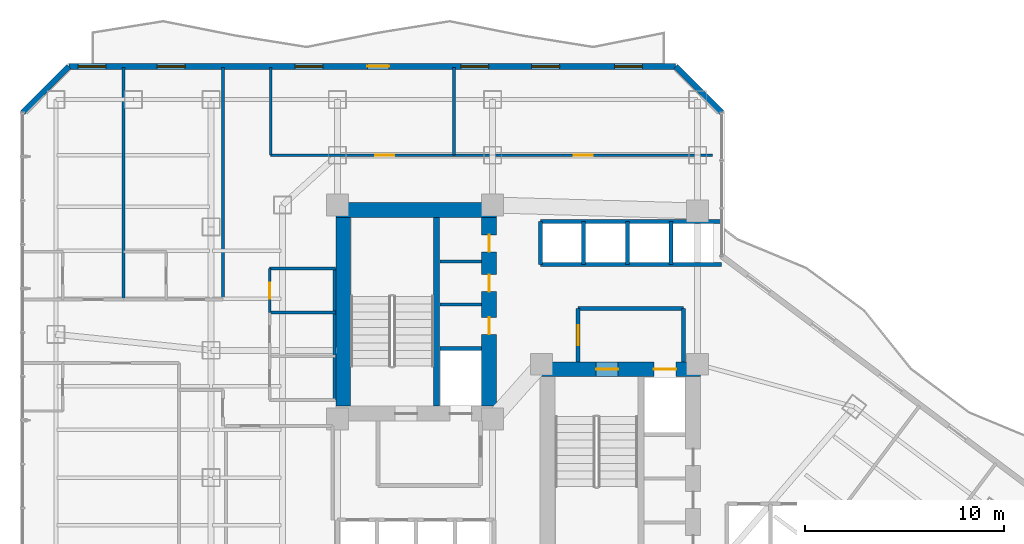
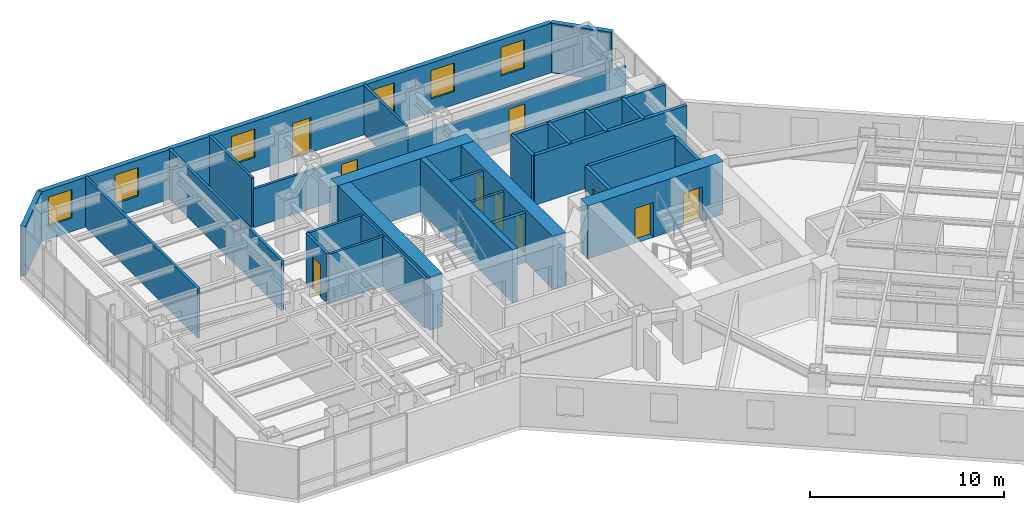
# One storey, part 25 of 31: 30 walls, 10 doors, 6 windows, 16 openings.
"""IFC4 building model written with IfcOpenShell, lengths in metres."""

from ifc_helpers import new_model, si_unit, direction, frame, frame_2d, origin, place, context, subcontext, project, spatial, rectangle, extrude, material, layer, layer_set, type_object, element, fill, save


model = new_model("IFC4")

# Units and contexts
model_context = context("Model", 3, precision=1e-05, world=origin(), true_north=direction((0.0, 1.0)))
body_context = subcontext(model_context, "Body", "Model", "MODEL_VIEW")
ifc_project = project(units=[si_unit("LENGTHUNIT", "METRE"), si_unit("AREAUNIT", "SQUARE_METRE"), si_unit("VOLUMEUNIT", "CUBIC_METRE"), si_unit("PLANEANGLEUNIT", "RADIAN"), si_unit("MASSUNIT", "GRAM", prefix="KILO")], contexts=[model_context])

# Site, building, storey
site_placement = place(None, origin())
site = spatial("IfcSite", under=ifc_project, at=site_placement, CompositionType="ELEMENT")
building_placement = place(site_placement, origin())
building = spatial("IfcBuilding", under=site, at=building_placement, Name="Hatsunagi Terrace Concourse", CompositionType="ELEMENT")
storey_placement = place(building_placement, frame((0.0, 0.0, 81.300048828125)))
storey = spatial("IfcBuildingStorey", under=building, at=storey_placement, Name="L21", CompositionType="ELEMENT", Elevation=81.300048828125)

# Walls
ifc_material_1 = material(Name="Concrete Fc60", Category="concrete")
ifc_layer_1 = layer(ifc_material_1, 0.75)
ifc_layer_set_1 = layer_set([ifc_layer_1], Name="CoreShearWall_Fc60_750")
wall_type_1 = type_object("IfcWallType", Name="CoreShearWall_Fc60_750", PredefinedType="SHEAR", material=ifc_layer_set_1)
wall_1_placement = place(storey_placement, frame((25.469970703125, 43.044921875, 0.0), z_axis=(0.0, 0.0, 1.0), x_axis=(1.0, 0.0, 0.0)))
element("IfcWall", 1, at=wall_1_placement, inside=storey, type_object=wall_type_1, Name="Core A Shear Wall N L21", PredefinedType="SHEAR", context=body_context, shape_type="SweptSolid", body=[
    extrude(rectangle(XDim=8.080078125, YDim=0.75, at=frame_2d((4.0400390625, 0.0))), origin(), (0.0, 0.0, 1.0), 3.349853515625),
])
wall_2_placement = place(storey_placement, frame((25.844970703125, 33.18994140625, 0.0), z_axis=(0.0, 0.0, 1.0), x_axis=(0.0, 1.0, 0.0)))
element("IfcWall", 2, at=wall_2_placement, inside=storey, type_object=wall_type_1, Name="Core A Shear Wall W L21", PredefinedType="SHEAR", context=body_context, shape_type="SweptSolid", body=[
    extrude(rectangle(XDim=9.47998046875, YDim=0.75, at=frame_2d((4.739990234375, 0.0))), origin(), (0.0, 0.0, 1.0), 3.349853515625),
])

# Wall, openings, doors
wall_3_placement = place(storey_placement, frame((33.175048828125, 33.18994140625, 0.0), z_axis=(0.0, 0.0, 1.0), x_axis=(0.0, 1.0, 0.0)))
wall_3 = element("IfcWall", 3, at=wall_3_placement, inside=storey, type_object=wall_type_1, Name="Core A Shear Wall E L21", PredefinedType="SHEAR", context=body_context, shape_type="SweptSolid", body=[
    extrude(rectangle(XDim=9.47998046875, YDim=0.75, at=frame_2d((4.739990234375, 0.0))), origin(), (0.0, 0.0, 1.0), 3.349853515625),
])
opening_1_placement = place(wall_3_placement, frame((3.610107421875, 0.0, 0.0)))
opening_1 = element("IfcOpeningElement", 4, at=opening_1_placement, cuts=wall_3, Name="Opening DR-085", PredefinedType="OPENING", context=body_context, shape_type="SweptSolid", body=[
    extrude(rectangle(XDim=0.85009765625, YDim=2.080078125, at=frame_2d((0.425048828125, 1.0400390625))), frame((0.0, 0.385009765625, 0.0), z_axis=(0.0, -1.0, 0.0), x_axis=(1.0, 0.0, 0.0)), (0.0, 0.0, 1.0), 0.77001953125),
])
opening_2_placement = place(wall_3_placement, frame((5.760009765625, 0.0, 0.0)))
opening_2 = element("IfcOpeningElement", 5, at=opening_2_placement, cuts=wall_3, Name="Opening DR-085", PredefinedType="OPENING", context=body_context, shape_type="SweptSolid", body=[
    extrude(rectangle(XDim=0.85009765625, YDim=2.080078125, at=frame_2d((0.425048828125, 1.0400390625))), frame((0.0, 0.385009765625, 0.0), z_axis=(0.0, -1.0, 0.0), x_axis=(1.0, 0.0, 0.0)), (0.0, 0.0, 1.0), 0.77001953125),
])
opening_3_placement = place(wall_3_placement, frame((7.760009765625, 0.0, 0.0)))
opening_3 = element("IfcOpeningElement", 6, at=opening_3_placement, cuts=wall_3, Name="Opening DR-085", PredefinedType="OPENING", context=body_context, shape_type="SweptSolid", body=[
    extrude(rectangle(XDim=0.85009765625, YDim=2.080078125, at=frame_2d((0.425048828125, 1.0400390625))), frame((0.0, 0.385009765625, 0.0), z_axis=(0.0, -1.0, 0.0), x_axis=(1.0, 0.0, 0.0)), (0.0, 0.0, 1.0), 0.77001953125),
])
ifc_material_2 = material(Name="Painted steel", Category="steel")
door_type_1 = type_object("IfcDoorType", Name="RiserAccessDoor_EI60_850", OperationType="NOTDEFINED", PredefinedType="DOOR", material=ifc_material_2)
door_1_placement = place(opening_1_placement, origin())
door_1 = element("IfcDoor", 7, at=door_1_placement, inside=storey, type_object=door_type_1, Name="Core A Riser Door L21-1", OperationType="SINGLE_SWING_LEFT", OverallHeight=2.080078125, OverallWidth=0.85009765625, PredefinedType="DOOR", context=body_context, shape_type="SweptSolid", body=[
    extrude(rectangle(XDim=0.85009765625, YDim=2.080078125, at=frame_2d((0.425048828125, 1.0400390625))), frame((0.0, 0.02490234375, 0.0), z_axis=(0.0, -1.0, 0.0), x_axis=(1.0, 0.0, 0.0)), (0.0, 0.0, 1.0), 0.050048828125),
])
fill(opening_1, door_1)
door_2_placement = place(opening_2_placement, origin())
door_2 = element("IfcDoor", 8, at=door_2_placement, inside=storey, type_object=door_type_1, Name="Core A Riser Door L21-2", OperationType="SINGLE_SWING_LEFT", OverallHeight=2.080078125, OverallWidth=0.85009765625, PredefinedType="DOOR", context=body_context, shape_type="SweptSolid", body=[
    extrude(rectangle(XDim=0.85009765625, YDim=2.080078125, at=frame_2d((0.425048828125, 1.0400390625))), frame((0.0, 0.02490234375, 0.0), z_axis=(0.0, -1.0, 0.0), x_axis=(1.0, 0.0, 0.0)), (0.0, 0.0, 1.0), 0.050048828125),
])
fill(opening_2, door_2)
door_3_placement = place(opening_3_placement, origin())
door_3 = element("IfcDoor", 9, at=door_3_placement, inside=storey, type_object=door_type_1, Name="Core A Riser Door L21-3", OperationType="SINGLE_SWING_LEFT", OverallHeight=2.080078125, OverallWidth=0.85009765625, PredefinedType="DOOR", context=body_context, shape_type="SweptSolid", body=[
    extrude(rectangle(XDim=0.85009765625, YDim=2.080078125, at=frame_2d((0.425048828125, 1.0400390625))), frame((0.0, 0.02490234375, 0.0), z_axis=(0.0, -1.0, 0.0), x_axis=(1.0, 0.0, 0.0)), (0.0, 0.0, 1.0), 0.050048828125),
])
fill(opening_3, door_3)

wall_4_placement = place(storey_placement, frame((35.739990234375, 35.044921875, 0.0), z_axis=(0.0, 0.0, 1.0), x_axis=(1.0, 0.0, 0.0)))
wall_4 = element("IfcWall", 10, at=wall_4_placement, inside=storey, type_object=wall_type_1, Name="Core B Shear Wall N L21", PredefinedType="SHEAR", context=body_context, shape_type="SweptSolid", body=[
    extrude(rectangle(XDim=8.06005859375, YDim=0.75, at=frame_2d((4.030029296875, 0.0))), origin(), (0.0, 0.0, 1.0), 3.349853515625),
])
opening_4_placement = place(wall_4_placement, frame((2.81005859375, 0.0, 0.0)))
opening_4 = element("IfcOpeningElement", 11, at=opening_4_placement, cuts=wall_4, Name="Opening DR-110S", PredefinedType="OPENING", context=body_context, shape_type="SweptSolid", body=[
    extrude(rectangle(XDim=1.10009765625, YDim=2.199951171875, at=frame_2d((0.550048828125, 1.10009765625))), frame((0.0, 0.385009765625, 0.0), z_axis=(0.0, -1.0, 0.0), x_axis=(1.0, 0.0, 0.0)), (0.0, 0.0, 1.0), 0.77001953125),
])
opening_5_placement = place(wall_4_placement, frame((5.7099609375, 0.0, 0.0)))
opening_5 = element("IfcOpeningElement", 12, at=opening_5_placement, cuts=wall_4, Name="Opening LD-02", PredefinedType="OPENING", context=body_context, shape_type="SweptSolid", body=[
    extrude(rectangle(XDim=1.1201171875, YDim=2.14990234375, at=frame_2d((0.56005859375, 1.074951171875))), frame((0.0, 0.385009765625, 0.0), z_axis=(0.0, -1.0, 0.0), x_axis=(1.0, 0.0, 0.0)), (0.0, 0.0, 1.0), 0.77001953125),
])
ifc_material_3 = material(Name="Stainless steel", Category="steel")
door_type_2 = type_object("IfcDoorType", Name="LiftLandingDoor_LD02", OperationType="SLIDING_TO_RIGHT", PredefinedType="USERDEFINED", material=ifc_material_3)
door_4_placement = place(opening_5_placement, origin())
door_4 = element("IfcDoor", 13, at=door_4_placement, inside=storey, type_object=door_type_2, Name="Lift landing door FF-02 L21", ObjectType="SLIDING_LANDING_DOOR", OperationType="SLIDING_TO_RIGHT", OverallHeight=2.14990234375, OverallWidth=1.1201171875, PredefinedType="USERDEFINED", context=body_context, shape_type="SweptSolid", body=[
    extrude(rectangle(XDim=1.1201171875, YDim=2.14990234375, at=frame_2d((0.56005859375, 1.074951171875))), frame((0.0, 0.02490234375, 0.0), z_axis=(0.0, -1.0, 0.0), x_axis=(1.0, 0.0, 0.0)), (0.0, 0.0, 1.0), 0.050048828125),
])
fill(opening_5, door_4)
ifc_material_4 = material(Name="Painted steel", Category="steel")
door_type_3 = type_object("IfcDoorType", Name="StairFireDoor_EI60_1100", OperationType="NOTDEFINED", PredefinedType="DOOR", material=ifc_material_4)
door_5_placement = place(opening_4_placement, origin())
door_5 = element("IfcDoor", 14, at=door_5_placement, inside=storey, type_object=door_type_3, Name="Stair ST-B Exit Door L21", OperationType="SINGLE_SWING_RIGHT", OverallHeight=2.199951171875, OverallWidth=1.10009765625, PredefinedType="DOOR", context=body_context, shape_type="SweptSolid", body=[
    extrude(rectangle(XDim=1.10009765625, YDim=2.199951171875, at=frame_2d((0.550048828125, 1.10009765625))), frame((0.0, 0.02490234375, 0.0), z_axis=(0.0, -1.0, 0.0), x_axis=(1.0, 0.0, 0.0)), (0.0, 0.0, 1.0), 0.050048828125),
])
fill(opening_4, door_5)

# Walls
ifc_material_5 = material(Name="Concrete Fc48", Category="concrete")
ifc_layer_2 = layer(ifc_material_5, 0.300048828125)
ifc_layer_set_2 = layer_set([ifc_layer_2], Name="CoreStairDivider_Fc48_300")
wall_type_2 = type_object("IfcWallType", Name="CoreStairDivider_Fc48_300", PredefinedType="SHEAR", material=ifc_layer_set_2)
wall_5_placement = place(storey_placement, frame((30.5400390625, 33.18994140625, 0.0), z_axis=(0.0, 0.0, 1.0), x_axis=(0.0, 1.0, 0.0)))
element("IfcWall", 15, at=wall_5_placement, inside=storey, type_object=wall_type_2, Name="Core A Shear Wall D L21", PredefinedType="SHEAR", context=body_context, shape_type="SweptSolid", body=[
    extrude(rectangle(XDim=9.47998046875, YDim=0.300048828125, at=frame_2d((4.739990234375, 0.0))), origin(), (0.0, 0.0, 1.0), 3.349853515625),
])
ifc_material_6 = material(Name="Acoustic mineral board", Category="gypsum")
ifc_layer_3 = layer(ifc_material_6, 0.14990234375)
ifc_layer_set_3 = layer_set([ifc_layer_3], Name="PartitionWall_EI60_150")
wall_type_3 = type_object("IfcWallType", Name="PartitionWall_EI60_150", PredefinedType="PARTITIONING", material=ifc_layer_set_3)
for number, where, z_axis, x_axis, name in (
    (16, (30.699951171875, 38.300048828125, 0.0), (0.0, 0.0, 1.0), (1.0, 0.0, 0.0), "Interior Partition IW-L21-002"),
    (17, (30.699951171875, 40.449951171875, 0.0), (0.0, 0.0, 1.0), (1.0, 0.0, 0.0), "Interior Partition IW-L21-003"),
):
    element("IfcWall", number, at=place(storey_placement, frame(where, z_axis=z_axis, x_axis=x_axis)), inside=storey, type_object=wall_type_3, Name=name, PredefinedType="PARTITIONING", context=body_context, shape_type="SweptSolid", body=[
        extrude(rectangle(XDim=2.10009765625, YDim=0.14990234375, at=frame_2d((1.050048828125, 0.0))), origin(), (0.0, 0.0, 1.0), 3.1298828125),
    ])
wall_6_placement = place(storey_placement, frame((22.14990234375, 40.10009765625, 0.0), z_axis=(0.0, 0.0, 1.0), x_axis=(1.0, 0.0, 0.0)))
element("IfcWall", 18, at=wall_6_placement, inside=storey, type_object=wall_type_3, Name="Interior Partition IW-L21-032", PredefinedType="PARTITIONING", context=body_context, shape_type="SweptSolid", body=[
    extrude(rectangle(XDim=3.300048828125, YDim=0.14990234375, at=frame_2d((1.64990234375, 0.0))), origin(), (0.0, 0.0, 1.0), 3.1298828125),
])
wall_7_placement = place(storey_placement, frame((25.39990234375, 33.5, 0.0), z_axis=(0.0, 0.0, 1.0), x_axis=(0.0, 1.0, 0.0)))
element("IfcWall", 19, at=wall_7_placement, inside=storey, type_object=wall_type_3, Name="Interior Partition IW-L21-033", PredefinedType="PARTITIONING", context=body_context, shape_type="SweptSolid", body=[
    extrude(rectangle(XDim=6.60009765625, YDim=0.14990234375, at=frame_2d((3.300048828125, 0.0))), origin(), (0.0, 0.0, 1.0), 3.1298828125),
])
wall_8_placement = place(storey_placement, frame((22.14990234375, 37.89990234375, 0.0), z_axis=(0.0, 0.0, 1.0), x_axis=(1.0, 0.0, 0.0)))
element("IfcWall", 20, at=wall_8_placement, inside=storey, type_object=wall_type_3, Name="Interior Partition IW-L21-035", PredefinedType="PARTITIONING", context=body_context, shape_type="SweptSolid", body=[
    extrude(rectangle(XDim=3.300048828125, YDim=0.14990234375, at=frame_2d((1.64990234375, 0.0))), origin(), (0.0, 0.0, 1.0), 3.1298828125),
])

# Wall, opening, door
wall_9_placement = place(storey_placement, frame((22.14990234375, 37.89990234375, 0.0), z_axis=(0.0, 0.0, 1.0), x_axis=(0.0, 1.0, 0.0)))
wall_9 = element("IfcWall", 21, at=wall_9_placement, inside=storey, type_object=wall_type_3, Name="Interior Partition IW-L21-038", PredefinedType="PARTITIONING", context=body_context, shape_type="SweptSolid", body=[
    extrude(rectangle(XDim=2.2001953125, YDim=0.14990234375, at=frame_2d((1.10009765625, 0.0))), origin(), (0.0, 0.0, 1.0), 3.1298828125),
])
opening_6_placement = place(wall_9_placement, frame((0.699951171875, 0.0, 0.0)))
opening_6 = element("IfcOpeningElement", 22, at=opening_6_placement, cuts=wall_9, Name="Opening DR-080", PredefinedType="OPENING", context=body_context, shape_type="SweptSolid", body=[
    extrude(rectangle(XDim=0.800048828125, YDim=2.06005859375, at=frame_2d((0.39990234375, 1.030029296875))), frame((0.0, 0.0849609375, 0.0), z_axis=(0.0, -1.0, 0.0), x_axis=(1.0, 0.0, 0.0)), (0.0, 0.0, 1.0), 0.169921875),
])
ifc_material_7 = material(Name="Hardwood timber", Category="wood")
door_type_4 = type_object("IfcDoorType", Name="BathroomDoor_800", OperationType="NOTDEFINED", PredefinedType="DOOR", material=ifc_material_7)
door_6_placement = place(opening_6_placement, origin())
door_6 = element("IfcDoor", 23, at=door_6_placement, inside=storey, type_object=door_type_4, Name="Male Restroom Door L21", OperationType="SINGLE_SWING_RIGHT", OverallHeight=2.06005859375, OverallWidth=0.800048828125, PredefinedType="DOOR", context=body_context, shape_type="SweptSolid", body=[
    extrude(rectangle(XDim=0.800048828125, YDim=2.06005859375, at=frame_2d((0.39990234375, 1.030029296875))), frame((0.0, 0.02490234375, 0.0), z_axis=(0.0, -1.0, 0.0), x_axis=(1.0, 0.0, 0.0)), (0.0, 0.0, 1.0), 0.050048828125),
])
fill(opening_6, door_6)

wall_10_placement = place(storey_placement, frame((22.199951171875, 45.800048828125, 0.0), z_axis=(0.0, 0.0, 1.0), x_axis=(1.0, 0.0, 0.0)))
wall_10 = element("IfcWall", 24, at=wall_10_placement, inside=storey, type_object=wall_type_3, Name="Interior Partition IW-L21-039", PredefinedType="PARTITIONING", context=body_context, shape_type="SweptSolid", body=[
    extrude(rectangle(XDim=9.199951171875, YDim=0.14990234375, at=frame_2d((4.60009765625, 0.0))), origin(), (0.0, 0.0, 1.0), 2.425048828125),
])
opening_7_placement = place(wall_10_placement, frame((5.248046875, 0.0, 0.0)))
opening_7 = element("IfcOpeningElement", 25, at=opening_7_placement, cuts=wall_10, Name="Opening DR-095", PredefinedType="OPENING", context=body_context, shape_type="SweptSolid", body=[
    extrude(rectangle(XDim=0.949951171875, YDim=2.14990234375, at=frame_2d((0.47509765625, 1.074951171875))), frame((0.0, 0.0849609375, 0.0), z_axis=(0.0, -1.0, 0.0), x_axis=(1.0, 0.0, 0.0)), (0.0, 0.0, 1.0), 0.169921875),
])
ifc_material_8 = material(Name="Hardwood timber", Category="wood")
door_type_5 = type_object("IfcDoorType", Name="InteriorSuiteDoor_EI30_950", OperationType="NOTDEFINED", PredefinedType="DOOR", material=ifc_material_8)
door_7_placement = place(opening_7_placement, origin())
door_7 = element("IfcDoor", 26, at=door_7_placement, inside=storey, type_object=door_type_5, Name="Housekeeping Linen Room L21-HLIN Door", OperationType="SINGLE_SWING_LEFT", OverallHeight=2.14990234375, OverallWidth=0.949951171875, PredefinedType="DOOR", context=body_context, shape_type="SweptSolid", body=[
    extrude(rectangle(XDim=0.949951171875, YDim=2.14990234375, at=frame_2d((0.47509765625, 1.074951171875))), frame((0.0, 0.02490234375, 0.0), z_axis=(0.0, -1.0, 0.0), x_axis=(1.0, 0.0, 0.0)), (0.0, 0.0, 1.0), 0.050048828125),
])
fill(opening_7, door_7)

# Walls
for number, where, z_axis, x_axis, name in (
    (27, (22.199951171875, 45.800048828125, 0.0), (0.0, 0.0, 1.0), (0.0, 1.0, 0.0), "Interior Partition IW-L21-040"),
    (28, (31.39990234375, 45.800048828125, 0.0), (0.0, 0.0, 1.0), (0.0, 1.0, 0.0), "Interior Partition IW-L21-041"),
):
    element("IfcWall", number, at=place(storey_placement, frame(where, z_axis=z_axis, x_axis=x_axis)), inside=storey, type_object=wall_type_3, Name=name, PredefinedType="PARTITIONING", context=body_context, shape_type="SweptSolid", body=[
        extrude(rectangle(XDim=4.39990234375, YDim=0.14990234375, at=frame_2d((2.199951171875, 0.0))), origin(), (0.0, 0.0, 1.0), 3.1298828125),
    ])

# Wall, opening, door
wall_11_placement = place(storey_placement, frame((31.39990234375, 45.800048828125, 0.0), z_axis=(0.0, 0.0, 1.0), x_axis=(1.0, 0.0, 0.0)))
wall_11 = element("IfcWall", 29, at=wall_11_placement, inside=storey, type_object=wall_type_3, Name="Interior Partition IW-L21-042", PredefinedType="PARTITIONING", context=body_context, shape_type="SweptSolid", body=[
    extrude(rectangle(XDim=13.0, YDim=0.14990234375, at=frame_2d((6.5, 0.0))), origin(), (0.0, 0.0, 1.0), 2.425048828125),
])
opening_8_placement = place(wall_11_placement, frame((6.02490234375, 0.0, 0.0)))
opening_8 = element("IfcOpeningElement", 30, at=opening_8_placement, cuts=wall_11, Name="Opening DR-095", PredefinedType="OPENING", context=body_context, shape_type="SweptSolid", body=[
    extrude(rectangle(XDim=0.949951171875, YDim=2.14990234375, at=frame_2d((0.47509765625, 1.074951171875))), frame((0.0, 0.0849609375, 0.0), z_axis=(0.0, -1.0, 0.0), x_axis=(1.0, 0.0, 0.0)), (0.0, 0.0, 1.0), 0.169921875),
])
door_8_placement = place(opening_8_placement, origin())
door_8 = element("IfcDoor", 31, at=door_8_placement, inside=storey, type_object=door_type_5, Name="VIP Lounge L21-HLNG Door", OperationType="SINGLE_SWING_LEFT", OverallHeight=2.14990234375, OverallWidth=0.949951171875, PredefinedType="DOOR", context=body_context, shape_type="SweptSolid", body=[
    extrude(rectangle(XDim=0.949951171875, YDim=2.14990234375, at=frame_2d((0.47509765625, 1.074951171875))), frame((0.0, 0.02490234375, 0.0), z_axis=(0.0, -1.0, 0.0), x_axis=(1.0, 0.0, 0.0)), (0.0, 0.0, 1.0), 0.050048828125),
])
fill(opening_8, door_8)

# Walls
for number, where, z_axis, x_axis, name in (
    (32, (14.800048828125, 38.550048828125, 0.0), (0.0, 0.0, 1.0), (0.0, 1.0, 0.0), "Interior Partition IW-L21-053"),
    (33, (19.800048828125, 38.550048828125, 0.0), (0.0, 0.0, 1.0), (0.0, 1.0, 0.0), "Interior Partition IW-L21-058"),
):
    element("IfcWall", number, at=place(storey_placement, frame(where, z_axis=z_axis, x_axis=x_axis)), inside=storey, type_object=wall_type_3, Name=name, PredefinedType="PARTITIONING", context=body_context, shape_type="SweptSolid", body=[
        extrude(rectangle(XDim=11.64990234375, YDim=0.14990234375, at=frame_2d((5.824951171875, 0.0))), origin(), (0.0, 0.0, 1.0), 3.1298828125),
    ])
ifc_material_9 = material(Name="Acoustic mineral board", Category="gypsum")
ifc_layer_4 = layer(ifc_material_9, 0.199951171875)
ifc_layer_set_4 = layer_set([ifc_layer_4], Name="ShaftWall_EI120_200")
wall_type_4 = type_object("IfcWallType", Name="ShaftWall_EI120_200", PredefinedType="STANDARD", material=ifc_layer_set_4)
wall_12_placement = place(storey_placement, frame((30.699951171875, 36.10009765625, 0.0), z_axis=(0.0, 0.0, 1.0), x_axis=(1.0, 0.0, 0.0)))
element("IfcWall", 34, at=wall_12_placement, inside=storey, type_object=wall_type_4, Name="Interior Partition IW-L21-001", PredefinedType="STANDARD", context=body_context, shape_type="SweptSolid", body=[
    extrude(rectangle(XDim=2.10009765625, YDim=0.199951171875, at=frame_2d((1.050048828125, 0.0))), origin(), (0.0, 0.0, 1.0), 3.1298828125),
])
wall_13_placement = place(storey_placement, frame((37.64990234375, 38.10009765625, 0.0), z_axis=(0.0, 0.0, 1.0), x_axis=(1.0, 0.0, 0.0)))
element("IfcWall", 35, at=wall_13_placement, inside=storey, type_object=wall_type_4, Name="Interior Partition IW-L21-010", PredefinedType="STANDARD", context=body_context, shape_type="SweptSolid", body=[
    extrude(rectangle(XDim=5.300048828125, YDim=0.199951171875, at=frame_2d((2.64990234375, 0.0))), origin(), (0.0, 0.0, 1.0), 3.1298828125),
])
wall_14_placement = place(storey_placement, frame((42.949951171875, 35.419921875, 0.0), z_axis=(0.0, 0.0, 1.0), x_axis=(0.0, 1.0, 0.0)))
element("IfcWall", 36, at=wall_14_placement, inside=storey, type_object=wall_type_4, Name="Interior Partition IW-L21-011", PredefinedType="STANDARD", context=body_context, shape_type="SweptSolid", body=[
    extrude(rectangle(XDim=2.68017578125, YDim=0.199951171875, at=frame_2d((1.340087890625, 0.0))), origin(), (0.0, 0.0, 1.0), 3.1298828125),
])

# Wall, opening, door
wall_15_placement = place(storey_placement, frame((37.64990234375, 35.419921875, 0.0), z_axis=(0.0, 0.0, 1.0), x_axis=(0.0, 1.0, 0.0)))
wall_15 = element("IfcWall", 37, at=wall_15_placement, inside=storey, type_object=wall_type_4, Name="Interior Partition IW-L21-012", PredefinedType="STANDARD", context=body_context, shape_type="SweptSolid", body=[
    extrude(rectangle(XDim=2.68017578125, YDim=0.199951171875, at=frame_2d((1.340087890625, 0.0))), origin(), (0.0, 0.0, 1.0), 3.1298828125),
])
opening_9_placement = place(wall_15_placement, frame((0.840087890625, 0.0, 0.0)))
opening_9 = element("IfcOpeningElement", 38, at=opening_9_placement, cuts=wall_15, Name="Opening DR-100F", PredefinedType="OPENING", context=body_context, shape_type="SweptSolid", body=[
    extrude(rectangle(XDim=1.0, YDim=2.199951171875, at=frame_2d((0.5, 1.10009765625))), frame((0.0, 0.10986328125, 0.0), z_axis=(0.0, -1.0, 0.0), x_axis=(1.0, 0.0, 0.0)), (0.0, 0.0, 1.0), 0.219970703125),
])
ifc_material_10 = material(Name="Painted steel", Category="steel")
door_type_6 = type_object("IfcDoorType", Name="FireDoor_EI60_1000", OperationType="NOTDEFINED", PredefinedType="DOOR", material=ifc_material_10)
door_9_placement = place(opening_9_placement, origin())
door_9 = element("IfcDoor", 39, at=door_9_placement, inside=storey, type_object=door_type_6, Name="Firefighting Lobby B Door L21", OperationType="SINGLE_SWING_RIGHT", OverallHeight=2.199951171875, OverallWidth=1.0, PredefinedType="DOOR", context=body_context, shape_type="SweptSolid", body=[
    extrude(rectangle(XDim=1.0, YDim=2.199951171875, at=frame_2d((0.5, 1.10009765625))), frame((0.0, 0.02490234375, 0.0), z_axis=(0.0, -1.0, 0.0), x_axis=(1.0, 0.0, 0.0)), (0.0, 0.0, 1.0), 0.050048828125),
])
fill(opening_9, door_9)

# Walls
wall_16_placement = place(storey_placement, frame((35.75, 42.47998046875, 0.0), z_axis=(0.0, 0.0, 1.0), x_axis=(1.0, 0.0, 0.0)))
element("IfcWall", 40, at=wall_16_placement, inside=storey, type_object=wall_type_4, Name="Interior Partition IW-L21-020", PredefinedType="STANDARD", context=body_context, shape_type="SweptSolid", body=[
    extrude(rectangle(XDim=9.110107421875, YDim=0.199951171875, at=frame_2d((4.55517578125, 0.0))), origin(), (0.0, 0.0, 1.0), 3.1298828125),
])
for number, where, z_axis, x_axis, name in (
    (41, (35.75, 40.320068359375, 0.0), (0.0, 0.0, 1.0), (0.0, 1.0, 0.0), "Interior Partition IW-L21-021"),
    (42, (37.919921875, 40.320068359375, 0.0), (0.0, 0.0, 1.0), (0.0, 1.0, 0.0), "Interior Partition IW-L21-022"),
    (43, (40.1201171875, 40.320068359375, 0.0), (0.0, 0.0, 1.0), (0.0, 1.0, 0.0), "Interior Partition IW-L21-023"),
    (44, (42.320068359375, 40.320068359375, 0.0), (0.0, 0.0, 1.0), (0.0, 1.0, 0.0), "Interior Partition IW-L21-024"),
):
    element("IfcWall", number, at=place(storey_placement, frame(where, z_axis=z_axis, x_axis=x_axis)), inside=storey, type_object=wall_type_4, Name=name, PredefinedType="STANDARD", context=body_context, shape_type="SweptSolid", body=[
        extrude(rectangle(XDim=2.159912109375, YDim=0.199951171875, at=frame_2d((1.080078125, 0.0))), origin(), (0.0, 0.0, 1.0), 3.1298828125),
    ])
wall_17_placement = place(storey_placement, frame((35.75, 40.320068359375, 0.0), z_axis=(0.0, 0.0, 1.0), x_axis=(1.0, 0.0, 0.0)))
element("IfcWall", 45, at=wall_17_placement, inside=storey, type_object=wall_type_4, Name="Interior Partition IW-L21-025", PredefinedType="STANDARD", context=body_context, shape_type="SweptSolid", body=[
    extrude(rectangle(XDim=9.110107421875, YDim=0.199951171875, at=frame_2d((4.55517578125, 0.0))), origin(), (0.0, 0.0, 1.0), 3.1298828125),
])
ifc_material_11 = material(Name="Autoclaved Lightweight Concrete and Terracotta Cladding", Category="masonry")
ifc_layer_5 = layer(ifc_material_11, 0.280029296875)
ifc_layer_set_5 = layer_set([ifc_layer_5], Name="TerracottaSpandrelWall_280")
wall_type_5 = type_object("IfcWallType", Name="TerracottaSpandrelWall_280", PredefinedType="STANDARD", material=ifc_layer_set_5)
wall_18_placement = place(storey_placement, frame((9.739990234375, 47.94189453125, 0.0), z_axis=(0.0, 0.0, 1.0), x_axis=(0.707106781187, 0.707106781187, 0.0)))
element("IfcWall", 46, at=wall_18_placement, inside=storey, type_object=wall_type_5, Name="Exterior Spandrel Wall EW-L21-10", PredefinedType="STANDARD", context=body_context, shape_type="SweptSolid", body=[
    extrude(rectangle(XDim=3.2783203125, YDim=0.280029296875, at=frame_2d((1.63916015625, 0.0))), origin(), (0.0, 0.0, 1.0), 3.1298828125),
])

# Wall, openings, door, windows
wall_19_placement = place(storey_placement, frame((12.05810546875, 50.260009765625, 0.0), z_axis=(0.0, 0.0, 1.0), x_axis=(1.0, 0.0, 0.0)))
wall_19 = element("IfcWall", 47, at=wall_19_placement, inside=storey, type_object=wall_type_5, Name="Exterior Spandrel Wall EW-L21-11", PredefinedType="STANDARD", context=body_context, shape_type="SweptSolid", body=[
    extrude(rectangle(XDim=30.48388671875, YDim=0.280029296875, at=frame_2d((15.241943359375, 0.0))), origin(), (0.0, 0.0, 1.0), 3.1298828125),
])
opening_10_placement = place(wall_19_placement, frame((14.991943359375, 0.0, 0.0)))
opening_10 = element("IfcOpeningElement", 48, at=opening_10_placement, cuts=wall_19, Name="Opening BD-01", PredefinedType="OPENING", context=body_context, shape_type="SweptSolid", body=[
    extrude(rectangle(XDim=1.10009765625, YDim=2.199951171875, at=frame_2d((0.550048828125, 1.10009765625))), frame((0.0, 0.14990234375, 0.0), z_axis=(0.0, -1.0, 0.0), x_axis=(1.0, 0.0, 0.0)), (0.0, 0.0, 1.0), 0.300048828125),
])
opening_11_placement = place(wall_19_placement, frame((0.4599609375, 0.0, 0.85009765625)))
opening_11 = element("IfcOpeningElement", 49, at=opening_11_placement, cuts=wall_19, Name="Opening WIN-02", PredefinedType="OPENING", context=body_context, shape_type="SweptSolid", body=[
    extrude(rectangle(XDim=1.39990234375, YDim=1.800048828125, at=frame_2d((0.699951171875, 0.89990234375))), frame((0.0, 0.14990234375, 0.0), z_axis=(0.0, -1.0, 0.0), x_axis=(1.0, 0.0, 0.0)), (0.0, 0.0, 1.0), 0.300048828125),
])
opening_12_placement = place(wall_19_placement, frame((4.43505859375, 0.0, 0.85009765625)))
opening_12 = element("IfcOpeningElement", 50, at=opening_12_placement, cuts=wall_19, Name="Opening WIN-02", PredefinedType="OPENING", context=body_context, shape_type="SweptSolid", body=[
    extrude(rectangle(XDim=1.39990234375, YDim=1.800048828125, at=frame_2d((0.699951171875, 0.89990234375))), frame((0.0, 0.14990234375, 0.0), z_axis=(0.0, -1.0, 0.0), x_axis=(1.0, 0.0, 0.0)), (0.0, 0.0, 1.0), 0.300048828125),
])
opening_13_placement = place(wall_19_placement, frame((11.361083984375, 0.0, 0.85009765625)))
opening_13 = element("IfcOpeningElement", 51, at=opening_13_placement, cuts=wall_19, Name="Opening WIN-02", PredefinedType="OPENING", context=body_context, shape_type="SweptSolid", body=[
    extrude(rectangle(XDim=1.39990234375, YDim=1.800048828125, at=frame_2d((0.699951171875, 0.89990234375))), frame((0.0, 0.14990234375, 0.0), z_axis=(0.0, -1.0, 0.0), x_axis=(1.0, 0.0, 0.0)), (0.0, 0.0, 1.0), 0.300048828125),
])
opening_14_placement = place(wall_19_placement, frame((19.693115234375, 0.0, 0.85009765625)))
opening_14 = element("IfcOpeningElement", 52, at=opening_14_placement, cuts=wall_19, Name="Opening WIN-02", PredefinedType="OPENING", context=body_context, shape_type="SweptSolid", body=[
    extrude(rectangle(XDim=1.39990234375, YDim=1.800048828125, at=frame_2d((0.699951171875, 0.89990234375))), frame((0.0, 0.14990234375, 0.0), z_axis=(0.0, -1.0, 0.0), x_axis=(1.0, 0.0, 0.0)), (0.0, 0.0, 1.0), 0.300048828125),
])
opening_15_placement = place(wall_19_placement, frame((23.251953125, 0.0, 0.85009765625)))
opening_15 = element("IfcOpeningElement", 53, at=opening_15_placement, cuts=wall_19, Name="Opening WIN-02", PredefinedType="OPENING", context=body_context, shape_type="SweptSolid", body=[
    extrude(rectangle(XDim=1.39990234375, YDim=1.800048828125, at=frame_2d((0.699951171875, 0.89990234375))), frame((0.0, 0.14990234375, 0.0), z_axis=(0.0, -1.0, 0.0), x_axis=(1.0, 0.0, 0.0)), (0.0, 0.0, 1.0), 0.300048828125),
])
opening_16_placement = place(wall_19_placement, frame((27.4169921875, 0.0, 0.85009765625)))
opening_16 = element("IfcOpeningElement", 54, at=opening_16_placement, cuts=wall_19, Name="Opening WIN-02", PredefinedType="OPENING", context=body_context, shape_type="SweptSolid", body=[
    extrude(rectangle(XDim=1.39990234375, YDim=1.800048828125, at=frame_2d((0.699951171875, 0.89990234375))), frame((0.0, 0.14990234375, 0.0), z_axis=(0.0, -1.0, 0.0), x_axis=(1.0, 0.0, 0.0)), (0.0, 0.0, 1.0), 0.300048828125),
])
ifc_material_12 = material(Name="Galvanised Steel and Laminated Safety Glass", Category="steel")
door_type_7 = type_object("IfcDoorType", Name="BalconyTerraceAccessDoor_1100x2200", OperationType="SINGLE_SWING_LEFT", PredefinedType="DOOR", material=ifc_material_12)
door_10_placement = place(opening_10_placement, origin())
door_10 = element("IfcDoor", 55, at=door_10_placement, inside=storey, type_object=door_type_7, Name="Engawa Balcony Door L21-BN", OperationType="SINGLE_SWING_RIGHT", OverallHeight=2.199951171875, OverallWidth=1.10009765625, PredefinedType="DOOR", context=body_context, shape_type="SweptSolid", body=[
    extrude(rectangle(XDim=1.10009765625, YDim=2.199951171875, at=frame_2d((0.550048828125, 1.10009765625))), frame((0.0, 0.02490234375, 0.0), z_axis=(0.0, -1.0, 0.0), x_axis=(1.0, 0.0, 0.0)), (0.0, 0.0, 1.0), 0.050048828125),
])
fill(opening_10, door_10)
ifc_material_13 = material(Name="Thermally Broken Aluminium and Low-E Triple Glazing", Category="aluminium")
window_type = type_object("IfcWindowType", Name="HotelOperableVentWindow_1400x1800", PartitioningType="DOUBLE_PANEL_VERTICAL", PredefinedType="WINDOW", material=ifc_material_13)
window_1_placement = place(opening_11_placement, origin())
window_1 = element("IfcWindow", 56, at=window_1_placement, inside=storey, type_object=window_type, Name="Balcony Daylighting Window L21-11-1", OverallHeight=1.800048828125, OverallWidth=1.39990234375, PartitioningType="SINGLE_PANEL", PredefinedType="WINDOW", context=body_context, shape_type="SweptSolid", body=[
    extrude(rectangle(XDim=1.39990234375, YDim=1.800048828125, at=frame_2d((0.699951171875, 0.89990234375))), frame((0.0, 0.030029296875, 0.0), z_axis=(0.0, -1.0, 0.0), x_axis=(1.0, 0.0, 0.0)), (0.0, 0.0, 1.0), 0.06005859375),
])
fill(opening_11, window_1)
window_2_placement = place(opening_12_placement, origin())
window_2 = element("IfcWindow", 57, at=window_2_placement, inside=storey, type_object=window_type, Name="Balcony Daylighting Window L21-11-2", OverallHeight=1.800048828125, OverallWidth=1.39990234375, PartitioningType="SINGLE_PANEL", PredefinedType="WINDOW", context=body_context, shape_type="SweptSolid", body=[
    extrude(rectangle(XDim=1.39990234375, YDim=1.800048828125, at=frame_2d((0.699951171875, 0.89990234375))), frame((0.0, 0.030029296875, 0.0), z_axis=(0.0, -1.0, 0.0), x_axis=(1.0, 0.0, 0.0)), (0.0, 0.0, 1.0), 0.06005859375),
])
fill(opening_12, window_2)
window_3_placement = place(opening_13_placement, origin())
window_3 = element("IfcWindow", 58, at=window_3_placement, inside=storey, type_object=window_type, Name="Balcony Daylighting Window L21-11-3", OverallHeight=1.800048828125, OverallWidth=1.39990234375, PartitioningType="SINGLE_PANEL", PredefinedType="WINDOW", context=body_context, shape_type="SweptSolid", body=[
    extrude(rectangle(XDim=1.39990234375, YDim=1.800048828125, at=frame_2d((0.699951171875, 0.89990234375))), frame((0.0, 0.030029296875, 0.0), z_axis=(0.0, -1.0, 0.0), x_axis=(1.0, 0.0, 0.0)), (0.0, 0.0, 1.0), 0.06005859375),
])
fill(opening_13, window_3)
window_4_placement = place(opening_14_placement, origin())
window_4 = element("IfcWindow", 59, at=window_4_placement, inside=storey, type_object=window_type, Name="Balcony Daylighting Window L21-11-5", OverallHeight=1.800048828125, OverallWidth=1.39990234375, PartitioningType="SINGLE_PANEL", PredefinedType="WINDOW", context=body_context, shape_type="SweptSolid", body=[
    extrude(rectangle(XDim=1.39990234375, YDim=1.800048828125, at=frame_2d((0.699951171875, 0.89990234375))), frame((0.0, 0.030029296875, 0.0), z_axis=(0.0, -1.0, 0.0), x_axis=(1.0, 0.0, 0.0)), (0.0, 0.0, 1.0), 0.06005859375),
])
fill(opening_14, window_4)
window_5_placement = place(opening_15_placement, origin())
window_5 = element("IfcWindow", 60, at=window_5_placement, inside=storey, type_object=window_type, Name="Balcony Daylighting Window L21-11-6", OverallHeight=1.800048828125, OverallWidth=1.39990234375, PartitioningType="SINGLE_PANEL", PredefinedType="WINDOW", context=body_context, shape_type="SweptSolid", body=[
    extrude(rectangle(XDim=1.39990234375, YDim=1.800048828125, at=frame_2d((0.699951171875, 0.89990234375))), frame((0.0, 0.030029296875, 0.0), z_axis=(0.0, -1.0, 0.0), x_axis=(1.0, 0.0, 0.0)), (0.0, 0.0, 1.0), 0.06005859375),
])
fill(opening_15, window_5)
window_6_placement = place(opening_16_placement, origin())
window_6 = element("IfcWindow", 61, at=window_6_placement, inside=storey, type_object=window_type, Name="Balcony Daylighting Window L21-11-7", OverallHeight=1.800048828125, OverallWidth=1.39990234375, PartitioningType="SINGLE_PANEL", PredefinedType="WINDOW", context=body_context, shape_type="SweptSolid", body=[
    extrude(rectangle(XDim=1.39990234375, YDim=1.800048828125, at=frame_2d((0.699951171875, 0.89990234375))), frame((0.0, 0.030029296875, 0.0), z_axis=(0.0, -1.0, 0.0), x_axis=(1.0, 0.0, 0.0)), (0.0, 0.0, 1.0), 0.06005859375),
])
fill(opening_16, window_6)

# Wall
wall_20_placement = place(storey_placement, frame((42.5419921875, 50.260009765625, 0.0), z_axis=(0.0, 0.0, 1.0), x_axis=(0.707106781187, -0.707106781187, 0.0)))
element("IfcWall", 62, at=wall_20_placement, inside=storey, type_object=wall_type_5, Name="Exterior Spandrel Wall EW-L21-12", PredefinedType="STANDARD", context=body_context, shape_type="SweptSolid", body=[
    extrude(rectangle(XDim=3.2783203125, YDim=0.280029296875, at=frame_2d((1.63916015625, 0.0))), origin(), (0.0, 0.0, 1.0), 3.1298828125),
])

save(model, "model.ifc")
